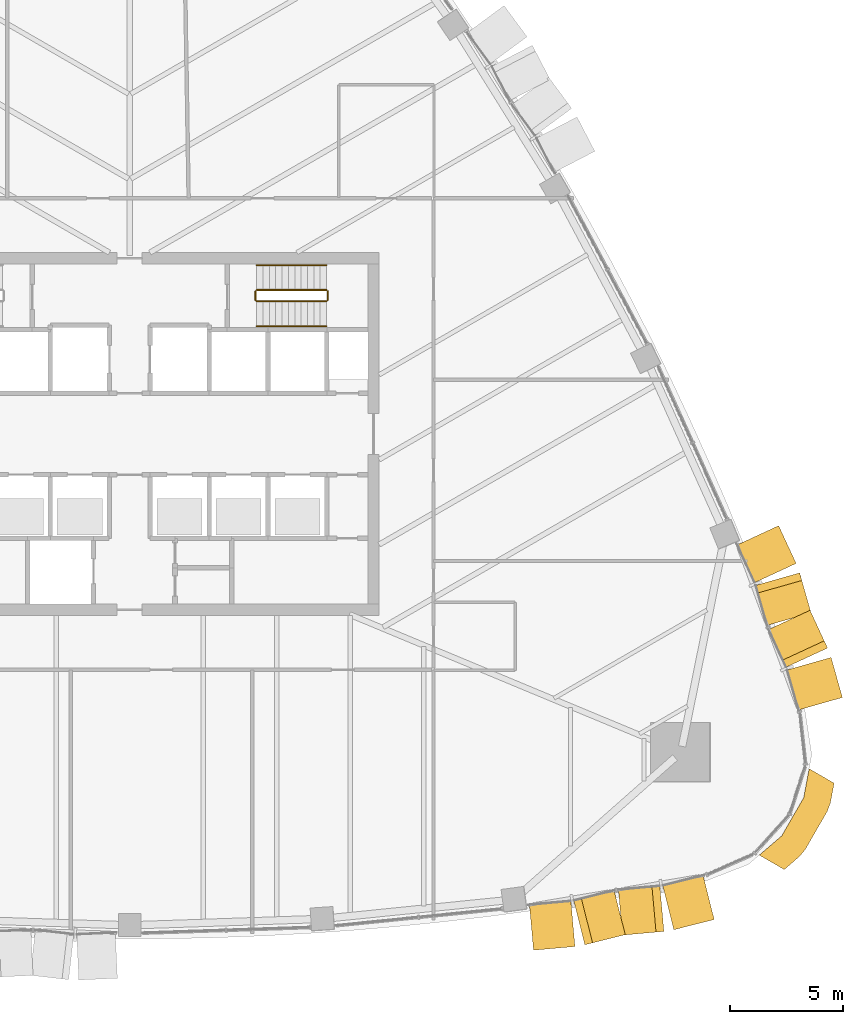
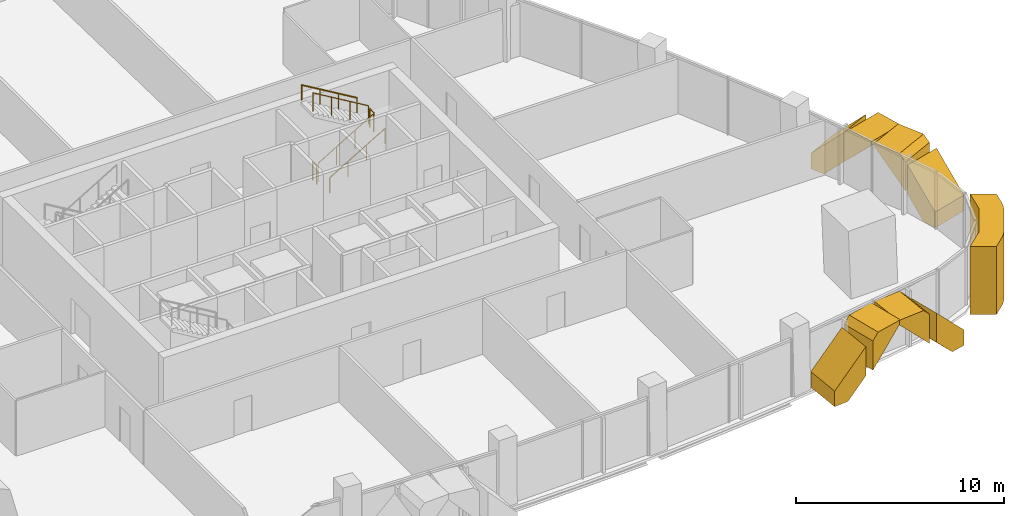
# One storey, part 15 of 17: 9 coverings, 6 railings.
"""IFC4 building model written with IfcOpenShell, lengths in metres."""

from ifc_helpers import new_model, si_unit, direction, frame, origin, origin_2d, place, context, subcontext, project, spatial, polyline, circle, outline, extrude, material, layer, layer_set, type_object, element, save


model = new_model("IFC4")

# Units and contexts
model_context = context("Model", 3, precision=1e-05, world=origin(), true_north=direction((0.0, 1.0)))
body_context = subcontext(model_context, "Body", "Model", "MODEL_VIEW")
ifc_project = project(units=[si_unit("LENGTHUNIT", "METRE"), si_unit("AREAUNIT", "SQUARE_METRE"), si_unit("VOLUMEUNIT", "CUBIC_METRE"), si_unit("PLANEANGLEUNIT", "RADIAN"), si_unit("MASSUNIT", "GRAM", prefix="KILO")], contexts=[model_context])

# Site, building, storey
site_placement = place(None, origin())
site = spatial("IfcSite", under=ifc_project, at=site_placement, CompositionType="ELEMENT")
building_placement = place(site_placement, origin())
building = spatial("IfcBuilding", under=site, at=building_placement, Name="Sierra Prisma Convention Tower", CompositionType="ELEMENT")
storey_placement = place(building_placement, frame((0.0, 0.0, 153.800048828125)))
storey = spatial("IfcBuildingStorey", under=building, at=storey_placement, Name="L33", CompositionType="ELEMENT", Elevation=153.800048828125)

# Coverings
ifc_material_1 = material(Name="Aluminium composite bronze anodised", Category="aluminium")
ifc_layer_1 = layer(ifc_material_1, 1.199951171875)
ifc_layer_set_1 = layer_set([ifc_layer_1], Name="Bronze corner pier")
covering_type_1 = type_object("IfcCoveringType", Name="Bronze corner pier", PredefinedType="CLADDING", material=ifc_layer_set_1)
covering_1_placement = place(storey_placement, frame((0.0, 0.0, -0.60009765625)))
element("IfcCovering", 1, at=covering_1_placement, inside=storey, type_object=covering_type_1, Name="Corner pier SE L33.1", PredefinedType="CLADDING", context=body_context, shape_type="SweptSolid", body=[
    extrude(outline(polyline([(30.76025390625, -16.637939453125), (29.7890625, -18.3203125), (29.531005859375, -18.631103515625), (28.86279296875, -19.204345703125), (27.760986328125, -18.568115234375), (28.749755859375, -17.72021484375), (29.720947265625, -16.037841796875), (29.961181640625, -14.7578125), (31.062744140625, -15.393798828125), (30.900390625, -16.259033203125), (30.76025390625, -16.637939453125)])), origin(), (0.0, 0.0, 1.0), 4.0),
])
ifc_material_2 = material(Name="Aluminium 6063-T6 bronze anodised", Category="aluminium")
ifc_layer_2 = layer(ifc_material_2, 2.0)
ifc_layer_set_2 = layer_set([ifc_layer_2], Name="Bronze crystal chevron frame")
covering_type_2 = type_object("IfcCoveringType", Name="Bronze crystal chevron frame", PredefinedType="CLADDING", material=ifc_layer_set_2)
covering_2_placement = place(storey_placement, frame((17.8076171875, -22.761962890625, 0.0), z_axis=(0.089512684476, -0.995985682266, 6.210661e-06), x_axis=(0.995985682285, 0.089512684478, -1.3e-10)))
element("IfcCovering", 2, at=covering_2_placement, inside=storey, type_object=covering_type_2, Name="CW-2 chevron frame S6.1.1", PredefinedType="CLADDING", context=body_context, shape_type="SweptSolid", body=[
    extrude(outline(polyline([(0.0, 0.0), (0.7802302379089798, 0.0), (1.8354938537678367, 1.0764160158846432), (1.8354938535447192, 2.7907714846015796), (-1.1950221391995676e-10, 0.9182128906072913), (0.0, 0.0)])), origin(), (0.0, 0.0, -1.0), 2.0),
])
covering_3_placement = place(storey_placement, frame((20.072998046875, -22.5234375, 2.92333984375), z_axis=(0.244108007532, -0.969748049232, -4.0865548e-05), x_axis=(-9.975608e-06, 3.9629286e-05, -0.999999999165)))
element("IfcCovering", 3, at=covering_3_placement, inside=storey, type_object=covering_type_2, Name="CW-2 chevron frame S6.1.2", PredefinedType="CLADDING", context=body_context, shape_type="SweptSolid", body=[
    extrude(outline(polyline([(0.0, 0.0), (1.714111326693723, 0.0), (-0.15820312546356985, 1.8353030954583995), (-0.3566894534228345, 1.8353030954583995), (-0.35668945661685925, 0.3494150361712336), (0.0, 0.0)])), origin(), (0.0, 0.0, -1.0), 2.0),
])
covering_4_placement = place(storey_placement, frame((21.73046875, -22.09619140625, 3.280029296875), z_axis=(0.08938381648, -0.995997255691, -2.832321e-06), x_axis=(-2.53164e-07, 2.820984e-06, -0.999999999996)))
element("IfcCovering", 4, at=covering_4_placement, inside=storey, type_object=covering_type_2, Name="CW-2 chevron frame S6.2.1", PredefinedType="CLADDING", context=body_context, shape_type="SweptSolid", body=[
    extrude(outline(polyline([(0.0, 0.0), (0.19848632812420386, -1.050777871883768e-23), (2.0708007812445555, 1.8354720154582116), (0.3566894531264307, 1.8354720154582116), (-1.534294407551385e-11, 1.485927773483077), (0.0, 0.0)])), origin(), (0.0, 0.0, -1.0), 2.0),
])
covering_5_placement = place(storey_placement, frame((25.775634765625, -21.409912109375, 0.0), z_axis=(0.244070703135, -0.969757439704, 3.310206e-06), x_axis=(-8.07924e-07, 3.210097e-06, 0.999999999995)))
element("IfcCovering", 5, at=covering_5_placement, inside=storey, type_object=covering_type_2, Name="CW-2 chevron frame S6.2.2", PredefinedType="CLADDING", context=body_context, shape_type="SweptSolid", body=[
    extrude(outline(polyline([(0.0, 0.0), (0.9182128906199694, 0.0), (2.790771484371505, 1.8355398518486126), (1.0764160156308975, 1.8355398518486126), (-2.884627706577771e-11, 0.7801888315683257), (0.0, 0.0)])), origin(), (0.0, 0.0, -1.0), 2.0),
])
covering_6_placement = place(storey_placement, frame((31.42919921875, -11.617431640625, 0.0), z_axis=(0.961904764528, 0.273384752864, -2.9679486e-05), x_axis=(-0.273384752984, 0.961904764951, -2.972e-09)))
element("IfcCovering", 6, at=covering_6_placement, inside=storey, type_object=covering_type_2, Name="CW-2 chevron frame NE1.1.1", PredefinedType="CLADDING", context=body_context, shape_type="SweptSolid", body=[
    extrude(outline(polyline([(0.0, 0.0), (0.7802327933515847, 0.0), (1.8352878441504679, 1.0764160215538114), (1.835287839055176, 2.790771489548747), (-2.7290505814808612e-09, 0.9182128902205859), (0.0, 0.0)])), origin(), (0.0, 0.0, -1.0), 2.0),
])
covering_7_placement = place(storey_placement, frame((30.77294921875, -9.436279296875, 2.92333984375), z_axis=(0.907308255338, 0.420466086376, 1.519474e-06), x_axis=(1.378631e-06, 6.38887e-07, -0.999999999999)))
element("IfcCovering", 7, at=covering_7_placement, inside=storey, type_object=covering_type_2, Name="CW-2 chevron frame NE1.1.2", PredefinedType="CLADDING", context=body_context, shape_type="SweptSolid", body=[
    extrude(outline(polyline([(0.0, 0.0), (1.7141113281230211, 1.8148859627296273e-22), (-0.1582031250006409, 1.835410866383528), (-0.3566894531254117, 1.835410866383528), (-0.3566894531298275, 0.34953955265739245), (0.0, 0.0)])), origin(), (0.0, 0.0, -1.0), 2.0),
])
covering_8_placement = place(storey_placement, frame((30.04443359375, -7.887451171875, 3.280029296875), z_axis=(0.961881818758, 0.273465471727, 5.0152064e-05), x_axis=(4.8240359e-05, 1.3714858e-05, -0.999999998742)))
element("IfcCovering", 8, at=covering_8_placement, inside=storey, type_object=covering_type_2, Name="CW-2 chevron frame NE1.2.1", PredefinedType="CLADDING", context=body_context, shape_type="SweptSolid", body=[
    extrude(outline(polyline([(0.0, 0.0), (0.19848632787538067, 0.0), (2.0708007795428864, 1.8355894366666692), (0.35668945357357795, 1.8355894366666692), (-4.810622081736278e-09, 1.4861176921169328), (0.0, 0.0)])), origin(), (0.0, 0.0, -1.0), 2.0),
])
covering_9_placement = place(storey_placement, frame((28.6162109375, -4.041015625, 0.0), z_axis=(0.907255345171, 0.42058024037, 8.259953e-06), x_axis=(-7.493887e-06, -3.473973e-06, 0.999999999966)))
element("IfcCovering", 9, at=covering_9_placement, inside=storey, type_object=covering_type_2, Name="CW-2 chevron frame NE1.2.2", PredefinedType="CLADDING", context=body_context, shape_type="SweptSolid", body=[
    extrude(outline(polyline([(0.0, 0.0), (0.9182128905936766, 3.8887828547649214e-22), (2.790771484353238, 1.8355135326466239), (1.0764160156617202, 1.8355135326466239), (-1.7961179112947157e-10, 0.7801252658247537), (0.0, 0.0)])), origin(), (0.0, 0.0, -1.0), 2.0),
])

# Railings
ifc_material_3 = material(Name="Stainless steel", Category="steel")
railing_type_1 = type_object("IfcRailingType", Name="Exit stair handrail", PredefinedType="HANDRAIL", material=ifc_material_3)
railing_1_placement = place(storey_placement, frame((5.60009765625, 4.75, 0.16650390625)))
element("IfcRailing", 10, at=railing_1_placement, inside=storey, type_object=railing_type_1, Name="L33 S4 stair handrail 1", PredefinedType="HANDRAIL", context=body_context, shape_type="SweptSolid", body=[
    extrude(circle(Radius=0.02392578125, at=origin_2d()), frame((0.0, 0.0, 0.8759765625), z_axis=(0.859260807169, 0.0, 0.511537745687), x_axis=(0.0, 1.0, 0.0)), (0.0, 0.0, 1.0), 3.584228515625),
    extrude(circle(Radius=0.02099609375, at=origin_2d()), origin(), (0.0, 0.0, 1.0), 0.851806640625),
    extrude(circle(Radius=0.02099609375, at=origin_2d()), frame((1.026611328125, 0.0, 0.611083984375)), (0.0, 0.0, 1.0), 0.851806640625),
    extrude(circle(Radius=0.02099609375, at=origin_2d()), frame((2.05322265625, 0.0, 1.222412109375)), (0.0, 0.0, 1.0), 0.851806640625),
    extrude(circle(Radius=0.02099609375, at=origin_2d()), frame((3.079833984375, 0.0, 1.83349609375)), (0.0, 0.0, 1.0), 0.851806640625),
])
railing_2_placement = place(storey_placement, frame((8.679931640625, 7.449951171875, 2.16650390625)))
element("IfcRailing", 11, at=railing_2_placement, inside=storey, type_object=railing_type_1, Name="L33 S4 stair handrail 2", PredefinedType="HANDRAIL", context=body_context, shape_type="SweptSolid", body=[
    extrude(circle(Radius=0.02392578125, at=origin_2d()), frame((0.0, 0.0, 0.8759765625), z_axis=(-0.859260807169, 0.0, 0.511537745687), x_axis=(0.0, -1.0, 0.0)), (0.0, 0.0, 1.0), 3.584228515625),
    extrude(circle(Radius=0.02099609375, at=origin_2d()), origin(), (0.0, 0.0, 1.0), 0.851806640625),
    extrude(circle(Radius=0.02099609375, at=origin_2d()), frame((-1.026611328125, 0.0, 0.611083984375)), (0.0, 0.0, 1.0), 0.851806640625),
    extrude(circle(Radius=0.02099609375, at=origin_2d()), frame((-2.05322265625, 0.0, 1.222412109375)), (0.0, 0.0, 1.0), 0.851806640625),
    extrude(circle(Radius=0.02099609375, at=origin_2d()), frame((-3.079833984375, 0.0, 1.83349609375)), (0.0, 0.0, 1.0), 0.851806640625),
])
ifc_material_4 = material(Name="Stainless steel", Category="steel")
railing_type_2 = type_object("IfcRailingType", Name="Stair guard 1100", PredefinedType="GUARDRAIL", material=ifc_material_4)
railing_3_placement = place(storey_placement, frame((5.60009765625, 5.85009765625, 0.16650390625)))
element("IfcRailing", 12, at=railing_3_placement, inside=storey, type_object=railing_type_2, Name="L33 S4 stair guard 1", PredefinedType="GUARDRAIL", context=body_context, shape_type="SweptSolid", body=[
    extrude(circle(Radius=0.02392578125, at=origin_2d()), frame((0.0, 0.0, 1.076171875), z_axis=(0.859260807169, 0.0, 0.511537745687), x_axis=(0.0, 1.0, 0.0)), (0.0, 0.0, 1.0), 3.584228515625),
    extrude(circle(Radius=0.02099609375, at=origin_2d()), origin(), (0.0, 0.0, 1.0), 1.052001953125),
    extrude(circle(Radius=0.02099609375, at=origin_2d()), frame((1.026611328125, 0.0, 0.611083984375)), (0.0, 0.0, 1.0), 1.052001953125),
    extrude(circle(Radius=0.02099609375, at=origin_2d()), frame((2.05322265625, 0.0, 1.222412109375)), (0.0, 0.0, 1.0), 1.052001953125),
    extrude(circle(Radius=0.02099609375, at=origin_2d()), frame((3.079833984375, 0.0, 1.83349609375)), (0.0, 0.0, 1.0), 1.052001953125),
])
railing_4_placement = place(storey_placement, frame((8.72998046875, 5.89990234375, 2.0)))
element("IfcRailing", 13, at=railing_4_placement, inside=storey, type_object=railing_type_2, Name="L33 S4 stair guard 2", PredefinedType="GUARDRAIL", context=body_context, shape_type="SweptSolid", body=[
    extrude(circle(Radius=0.02392578125, at=origin_2d()), frame((0.0, 0.0, 1.076171875), z_axis=(0.0, 1.0, 0.0), x_axis=(-1.0, 0.0, 0.0)), (0.0, 0.0, 1.0), 0.400146484375),
    extrude(circle(Radius=0.02099609375, at=origin_2d()), origin(), (0.0, 0.0, 1.0), 1.052001953125),
    extrude(circle(Radius=0.02099609375, at=origin_2d()), frame((0.0, 0.400146484375, 0.0)), (0.0, 0.0, 1.0), 1.052001953125),
])
railing_5_placement = place(storey_placement, frame((8.679931640625, 6.35009765625, 2.16650390625)))
element("IfcRailing", 14, at=railing_5_placement, inside=storey, type_object=railing_type_2, Name="L33 S4 stair guard 3", PredefinedType="GUARDRAIL", context=body_context, shape_type="SweptSolid", body=[
    extrude(circle(Radius=0.02392578125, at=origin_2d()), frame((0.0, 0.0, 1.076171875), z_axis=(-0.859260807169, 0.0, 0.511537745687), x_axis=(0.0, -1.0, 0.0)), (0.0, 0.0, 1.0), 3.584228515625),
    extrude(circle(Radius=0.02099609375, at=origin_2d()), origin(), (0.0, 0.0, 1.0), 1.052001953125),
    extrude(circle(Radius=0.02099609375, at=origin_2d()), frame((-1.026611328125, 0.0, 0.611083984375)), (0.0, 0.0, 1.0), 1.052001953125),
    extrude(circle(Radius=0.02099609375, at=origin_2d()), frame((-2.05322265625, 0.0, 1.222412109375)), (0.0, 0.0, 1.0), 1.052001953125),
    extrude(circle(Radius=0.02099609375, at=origin_2d()), frame((-3.079833984375, 0.0, 1.83349609375)), (0.0, 0.0, 1.0), 1.052001953125),
])
railing_6_placement = place(storey_placement, frame((5.550048828125, 5.89990234375, 0.0)))
element("IfcRailing", 15, at=railing_6_placement, inside=storey, type_object=railing_type_2, Name="L33 S4 stair guard 4", PredefinedType="GUARDRAIL", context=body_context, shape_type="SweptSolid", body=[
    extrude(circle(Radius=0.02392578125, at=origin_2d()), frame((0.0, 0.0, 1.076171875), z_axis=(0.0, 1.0, 0.0), x_axis=(-1.0, 0.0, 0.0)), (0.0, 0.0, 1.0), 0.400146484375),
    extrude(circle(Radius=0.02099609375, at=origin_2d()), origin(), (0.0, 0.0, 1.0), 1.052001953125),
    extrude(circle(Radius=0.02099609375, at=origin_2d()), frame((0.0, 0.400146484375, 0.0)), (0.0, 0.0, 1.0), 1.052001953125),
])

save(model, "model.ifc")
